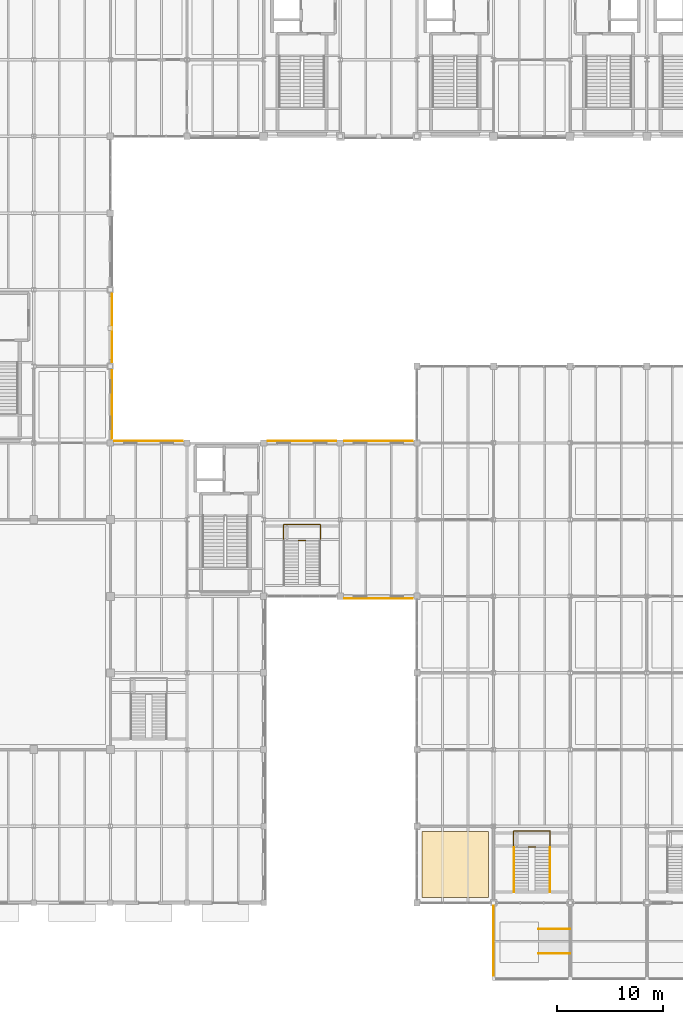
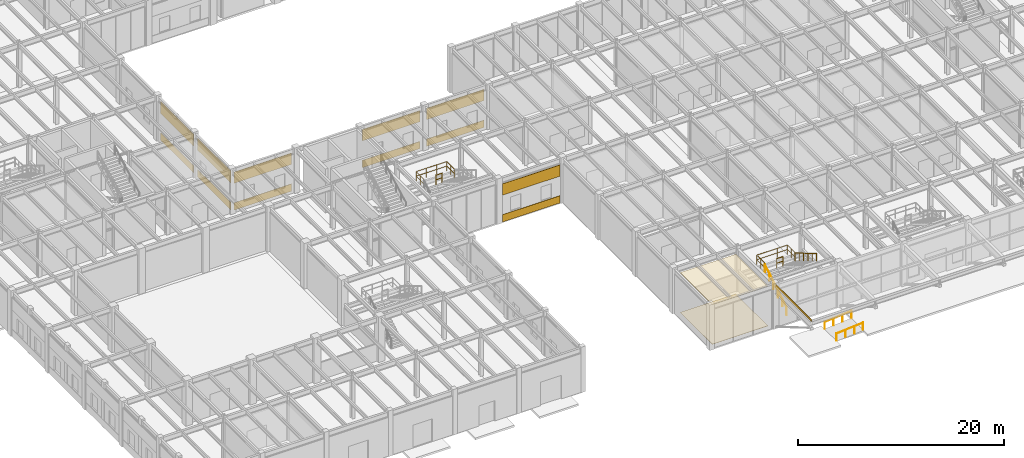
# One storey, part 88 of 97: 15 coverings, 8 railings.
"""IFC4 building model written with IfcOpenShell, lengths in metres."""

from ifc_helpers import new_model, si_unit, direction, frame, frame_2d, origin, origin_2d, place, context, subcontext, project, spatial, polyline, rectangle, circle, outline, extrude, material, layer, layer_set, type_object, element, save


model = new_model("IFC4")

# Units and contexts
model_context = context("Model", 3, precision=1e-05, world=origin(), true_north=direction((0.0, 1.0)))
body_context = subcontext(model_context, "Body", "Model", "MODEL_VIEW")
ifc_project = project(units=[si_unit("LENGTHUNIT", "METRE"), si_unit("AREAUNIT", "SQUARE_METRE"), si_unit("VOLUMEUNIT", "CUBIC_METRE"), si_unit("PLANEANGLEUNIT", "RADIAN"), si_unit("MASSUNIT", "GRAM", prefix="KILO")], contexts=[model_context])

# Site, building, storey
site_placement = place(None, origin())
site = spatial("IfcSite", under=ifc_project, at=site_placement, CompositionType="ELEMENT")
building_placement = place(site_placement, origin())
building = spatial("IfcBuilding", under=site, at=building_placement, Name="Sillqori Civic Hall", CompositionType="ELEMENT")
storey_placement = place(building_placement, origin())
storey = spatial("IfcBuildingStorey", under=building, at=storey_placement, Name="L01", CompositionType="ELEMENT", Elevation=0.0)

# Coverings
ifc_material_1 = material(Name="Slatted Andean Cedar Acoustic Baffle", Category="timber")
ifc_layer_1 = layer(ifc_material_1, 0.0419921875)
ifc_layer_set_1 = layer_set([ifc_layer_1], Name="Slatted Andean Cedar Acoustic Baffle")
covering_type_1 = type_object("IfcCoveringType", Name="COV-CEIL-TIM", PredefinedType="CEILING", material=ifc_layer_set_1)
covering_1_placement = place(storey_placement, frame((0.0, 0.0, 4.7080078125)))
element("IfcCovering", 1, at=covering_1_placement, inside=storey, type_object=covering_type_1, Name="Citizens Service Centre One-Stop Counter Hall acoustic ceiling", PredefinedType="CEILING", context=body_context, shape_type="SweptSolid", body=[
    extrude(outline(polyline([(65.280029296875, 7.679931640625), (71.52001953125, 7.679931640625), (71.52001953125, 13.919921875), (65.280029296875, 13.919921875), (65.280029296875, 7.679931640625)])), origin(), (0.0, 0.0, 1.0), 0.0419921875),
])
ifc_material_2 = material(Name="Anodized Bronze Aluminium Fascia", Category="aluminium")
ifc_layer_2 = layer(ifc_material_2, 0.034912109375)
ifc_layer_set_2 = layer_set([ifc_layer_2], Name="Anodized Bronze Aluminium Fascia")
covering_type_2 = type_object("IfcCoveringType", Name="COV-CLAD-BRNZ", PredefinedType="CLADDING", material=ifc_layer_set_2)
covering_2_placement = place(storey_placement, frame((72.0, 0.0, 4.97998046875), z_axis=(0.0, 0.0, 1.0), x_axis=(0.0, 1.0, 0.0)))
element("IfcCovering", 2, at=covering_2_placement, inside=storey, type_object=covering_type_2, Name="Entrance canopy bronze fascia W", PredefinedType="CLADDING", context=body_context, shape_type="SweptSolid", body=[
    extrude(rectangle(XDim=7.199951171875, YDim=0.034912109375, at=frame_2d((3.60009765625, 0.0))), origin(), (0.0, 0.0, 1.0), 0.260009765625),
])
ifc_material_3 = material(Name="Cochabamba Honed Limestone Cladding", Category="masonry")
ifc_layer_3 = layer(ifc_material_3, 0.044921875)
ifc_layer_set_3 = layer_set([ifc_layer_3], Name="Cochabamba Honed Limestone Cladding")
covering_type_3 = type_object("IfcCoveringType", Name="COV-CLAD-LIME", PredefinedType="CLADDING", material=ifc_layer_set_3)
covering_3_placement = place(storey_placement, frame((36.14990234375, 57.219970703125, 0.0400390625), z_axis=(0.0, 0.0, 1.0), x_axis=(0.0, -1.0, 0.0)))
element("IfcCovering", 3, at=covering_3_placement, inside=storey, type_object=covering_type_3, Name="L01 limestone spandrel cladding L01-04-07-E", PredefinedType="CLADDING", context=body_context, shape_type="SweptSolid", body=[
    extrude(rectangle(XDim=6.43994140625, YDim=0.044921875, at=frame_2d((3.219970703125, 0.0))), origin(), (0.0, 0.0, 1.0), 0.85986328125),
])
covering_4_placement = place(storey_placement, frame((36.14990234375, 57.219970703125, 3.219970703125), z_axis=(0.0, 0.0, 1.0), x_axis=(0.0, -1.0, 0.0)))
element("IfcCovering", 4, at=covering_4_placement, inside=storey, type_object=covering_type_3, Name="L01 limestone frieze cladding L01-04-07-E", PredefinedType="CLADDING", context=body_context, shape_type="SweptSolid", body=[
    extrude(rectangle(XDim=6.43994140625, YDim=0.044921875, at=frame_2d((3.219970703125, 0.0))), origin(), (0.0, 0.0, 1.0), 1.406982421875),
])
covering_5_placement = place(storey_placement, frame((36.14990234375, 64.419921875, 0.0400390625), z_axis=(0.0, 0.0, 1.0), x_axis=(0.0, -1.0, 0.0)))
element("IfcCovering", 5, at=covering_5_placement, inside=storey, type_object=covering_type_3, Name="L01 limestone spandrel cladding L01-04-08-E", PredefinedType="CLADDING", context=body_context, shape_type="SweptSolid", body=[
    extrude(rectangle(XDim=6.43994140625, YDim=0.044921875, at=frame_2d((3.219970703125, 0.0))), origin(), (0.0, 0.0, 1.0), 0.85986328125),
])
covering_6_placement = place(storey_placement, frame((36.14990234375, 64.419921875, 3.219970703125), z_axis=(0.0, 0.0, 1.0), x_axis=(0.0, -1.0, 0.0)))
element("IfcCovering", 6, at=covering_6_placement, inside=storey, type_object=covering_type_3, Name="L01 limestone frieze cladding L01-04-08-E", PredefinedType="CLADDING", context=body_context, shape_type="SweptSolid", body=[
    extrude(rectangle(XDim=6.43994140625, YDim=0.044921875, at=frame_2d((3.219970703125, 0.0))), origin(), (0.0, 0.0, 1.0), 1.406982421875),
])
covering_7_placement = place(storey_placement, frame((36.3798828125, 50.590087890625, 0.0400390625), z_axis=(0.0, 0.0, 1.0), x_axis=(1.0, 0.0, 0.0)))
element("IfcCovering", 7, at=covering_7_placement, inside=storey, type_object=covering_type_3, Name="L01 limestone spandrel cladding L01-05-06-N", PredefinedType="CLADDING", context=body_context, shape_type="SweptSolid", body=[
    extrude(rectangle(XDim=6.440185546875, YDim=0.044921875, at=frame_2d((3.22021484375, 0.0))), origin(), (0.0, 0.0, 1.0), 0.85986328125),
])
covering_8_placement = place(storey_placement, frame((36.3798828125, 50.590087890625, 3.219970703125), z_axis=(0.0, 0.0, 1.0), x_axis=(1.0, 0.0, 0.0)))
element("IfcCovering", 8, at=covering_8_placement, inside=storey, type_object=covering_type_3, Name="L01 limestone frieze cladding L01-05-06-N", PredefinedType="CLADDING", context=body_context, shape_type="SweptSolid", body=[
    extrude(rectangle(XDim=6.440185546875, YDim=0.044921875, at=frame_2d((3.22021484375, 0.0))), origin(), (0.0, 0.0, 1.0), 1.338134765625),
])
covering_9_placement = place(storey_placement, frame((50.780029296875, 50.590087890625, 0.0400390625), z_axis=(0.0, 0.0, 1.0), x_axis=(1.0, 0.0, 0.0)))
element("IfcCovering", 9, at=covering_9_placement, inside=storey, type_object=covering_type_3, Name="L01 limestone spandrel cladding L01-07-06-N", PredefinedType="CLADDING", context=body_context, shape_type="SweptSolid", body=[
    extrude(rectangle(XDim=6.43994140625, YDim=0.044921875, at=frame_2d((3.219970703125, 0.0))), origin(), (0.0, 0.0, 1.0), 0.85986328125),
])
covering_10_placement = place(storey_placement, frame((50.780029296875, 50.590087890625, 3.219970703125), z_axis=(0.0, 0.0, 1.0), x_axis=(1.0, 0.0, 0.0)))
element("IfcCovering", 10, at=covering_10_placement, inside=storey, type_object=covering_type_3, Name="L01 limestone frieze cladding L01-07-06-N", PredefinedType="CLADDING", context=body_context, shape_type="SweptSolid", body=[
    extrude(rectangle(XDim=6.43994140625, YDim=0.044921875, at=frame_2d((3.219970703125, 0.0))), origin(), (0.0, 0.0, 1.0), 1.338134765625),
])
covering_11_placement = place(storey_placement, frame((64.419921875, 35.81005859375, 0.0400390625), z_axis=(0.0, 0.0, 1.0), x_axis=(-1.0, 0.0, 0.0)))
element("IfcCovering", 11, at=covering_11_placement, inside=storey, type_object=covering_type_3, Name="L01 limestone spandrel cladding L01-08-05-S", PredefinedType="CLADDING", context=body_context, shape_type="SweptSolid", body=[
    extrude(rectangle(XDim=6.43994140625, YDim=0.044921875, at=frame_2d((3.219970703125, 0.0))), origin(), (0.0, 0.0, 1.0), 0.85986328125),
])
covering_12_placement = place(storey_placement, frame((64.419921875, 35.81005859375, 3.219970703125), z_axis=(0.0, 0.0, 1.0), x_axis=(-1.0, 0.0, 0.0)))
element("IfcCovering", 12, at=covering_12_placement, inside=storey, type_object=covering_type_3, Name="L01 limestone frieze cladding L01-08-05-S", PredefinedType="CLADDING", context=body_context, shape_type="SweptSolid", body=[
    extrude(rectangle(XDim=6.43994140625, YDim=0.044921875, at=frame_2d((3.219970703125, 0.0))), origin(), (0.0, 0.0, 1.0), 1.338134765625),
])
covering_13_placement = place(storey_placement, frame((57.97998046875, 50.590087890625, 0.0400390625), z_axis=(0.0, 0.0, 1.0), x_axis=(1.0, 0.0, 0.0)))
element("IfcCovering", 13, at=covering_13_placement, inside=storey, type_object=covering_type_3, Name="L01 limestone spandrel cladding L01-08-06-N", PredefinedType="CLADDING", context=body_context, shape_type="SweptSolid", body=[
    extrude(rectangle(XDim=6.43994140625, YDim=0.044921875, at=frame_2d((3.219970703125, 0.0))), origin(), (0.0, 0.0, 1.0), 0.85986328125),
])
covering_14_placement = place(storey_placement, frame((57.97998046875, 50.590087890625, 3.219970703125), z_axis=(0.0, 0.0, 1.0), x_axis=(1.0, 0.0, 0.0)))
element("IfcCovering", 14, at=covering_14_placement, inside=storey, type_object=covering_type_3, Name="L01 limestone frieze cladding L01-08-06-N", PredefinedType="CLADDING", context=body_context, shape_type="SweptSolid", body=[
    extrude(rectangle(XDim=6.43994140625, YDim=0.044921875, at=frame_2d((3.219970703125, 0.0))), origin(), (0.0, 0.0, 1.0), 1.338134765625),
])
ifc_material_4 = material(Name="Engineered Tajibo Hardwood Flooring", Category="wood")
ifc_layer_4 = layer(ifc_material_4, 0.02587890625)
ifc_layer_set_4 = layer_set([ifc_layer_4], Name="Engineered Tajibo Hardwood Flooring")
covering_type_4 = type_object("IfcCoveringType", Name="COV-FLR-PRQ", PredefinedType="FLOORING", material=ifc_layer_set_4)
covering_15_placement = place(storey_placement, origin())
element("IfcCovering", 15, at=covering_15_placement, inside=storey, type_object=covering_type_4, Name="Citizens Service Centre One-Stop Counter Hall floor finish", PredefinedType="FLOORING", context=body_context, shape_type="SweptSolid", body=[
    extrude(outline(polyline([(65.280029296875, 7.679931640625), (71.52001953125, 7.679931640625), (71.52001953125, 13.919921875), (65.280029296875, 13.919921875), (65.280029296875, 7.679931640625)])), origin(), (0.0, 0.0, 1.0), 0.02587890625),
])

# Railings
ifc_material_5 = material(Name="Brushed Stainless Steel 316 Handrail", Category="steel")
ifc_layer_5 = layer(ifc_material_5, 0.044921875)
ifc_layer_set_5 = layer_set([ifc_layer_5], Name="Brushed Stainless Steel 316 Handrail")
railing_type_1 = type_object("IfcRailingType", Name="RLG-CORE-092", PredefinedType="HANDRAIL", material=ifc_layer_set_5)
railing_1_placement = place(storey_placement, frame((73.919921875, 8.199951171875, 0.168701171875)))
element("IfcRailing", 16, at=railing_1_placement, inside=storey, type_object=railing_type_1, Name="Wedge Hall South-West Grand Stair L01-L02 handrail W", PredefinedType="HANDRAIL", context=body_context, shape_type="SweptSolid", body=[
    extrude(circle(Radius=0.02392578125, at=origin_2d()), frame((0.0, 0.0, 0.89599609375), z_axis=(0.0, 0.856476492594, 0.516186030065), x_axis=(-1.0, 0.0, 0.0)), (0.0, 0.0, 1.0), 4.90380859375),
    extrude(circle(Radius=0.02099609375, at=origin_2d()), origin(), (0.0, 0.0, 1.0), 0.871826171875),
    extrude(circle(Radius=0.02099609375, at=origin_2d()), frame((0.0, 0.840087890625, 0.50634765625)), (0.0, 0.0, 1.0), 0.871826171875),
    extrude(circle(Radius=0.02099609375, at=origin_2d()), frame((0.0, 1.679931640625, 1.012451171875)), (0.0, 0.0, 1.0), 0.871826171875),
    extrude(circle(Radius=0.02099609375, at=origin_2d()), frame((0.0, 2.52001953125, 1.518798828125)), (0.0, 0.0, 1.0), 0.871826171875),
    extrude(circle(Radius=0.02099609375, at=origin_2d()), frame((0.0, 3.35986328125, 2.02490234375)), (0.0, 0.0, 1.0), 0.871826171875),
    extrude(circle(Radius=0.02099609375, at=origin_2d()), frame((0.0, 4.199951171875, 2.53125)), (0.0, 0.0, 1.0), 0.871826171875),
])
railing_2_placement = place(storey_placement, frame((77.280029296875, 12.39990234375, 2.868896484375)))
element("IfcRailing", 17, at=railing_2_placement, inside=storey, type_object=railing_type_1, Name="Wedge Hall South-West Grand Stair L01-L02 handrail E", PredefinedType="HANDRAIL", context=body_context, shape_type="SweptSolid", body=[
    extrude(circle(Radius=0.02392578125, at=origin_2d()), frame((0.0, 0.0, 0.89599609375), z_axis=(0.0, -0.856498503035, 0.5161495077), x_axis=(1.0, 0.0, 0.0)), (0.0, 0.0, 1.0), 4.903564453125),
    extrude(circle(Radius=0.02099609375, at=origin_2d()), origin(), (0.0, 0.0, 1.0), 0.871826171875),
    extrude(circle(Radius=0.02099609375, at=origin_2d()), frame((0.0, -0.840087890625, 0.506103515625)), (0.0, 0.0, 1.0), 0.871826171875),
    extrude(circle(Radius=0.02099609375, at=origin_2d()), frame((0.0, -1.679931640625, 1.012451171875)), (0.0, 0.0, 1.0), 0.871826171875),
    extrude(circle(Radius=0.02099609375, at=origin_2d()), frame((0.0, -2.52001953125, 1.5185546875)), (0.0, 0.0, 1.0), 0.871826171875),
    extrude(circle(Radius=0.02099609375, at=origin_2d()), frame((0.0, -3.35986328125, 2.02490234375)), (0.0, 0.0, 1.0), 0.871826171875),
    extrude(circle(Radius=0.02099609375, at=origin_2d()), frame((0.0, -4.199951171875, 2.531005859375)), (0.0, 0.0, 1.0), 0.871826171875),
])
ifc_material_6 = material(Name="Brushed Stainless Steel 316", Category="steel")
ifc_layer_6 = layer(ifc_material_6, 0.050048828125)
ifc_layer_set_6 = layer_set([ifc_layer_6], Name="Brushed Stainless Steel 316")
railing_type_2 = type_object("IfcRailingType", Name="RLG-RAMP-092", PredefinedType="HANDRAIL", material=ifc_layer_set_6)
for number, where, name in (
    (18, (76.199951171875, 2.4599609375, -0.239990234375), "Forecourt accessible ramp handrail S"),
    (19, (76.199951171875, 4.739990234375, -0.239990234375), "Forecourt accessible ramp handrail N"),
):
    element("IfcRailing", number, at=place(storey_placement, frame(where)), inside=storey, type_object=railing_type_2, Name=name, PredefinedType="HANDRAIL", context=body_context, shape_type="SweptSolid", body=[
        extrude(circle(Radius=0.02392578125, at=origin_2d()), frame((0.0, 0.0, 0.8759765625), z_axis=(0.996815536467, 0.0, 0.079741998075), x_axis=(0.0, 1.0, 0.0)), (0.0, 0.0, 1.0), 3.009521484375),
        extrude(circle(Radius=0.02099609375, at=origin_2d()), origin(), (0.0, 0.0, 1.0), 0.851806640625),
        extrude(circle(Radius=0.02099609375, at=origin_2d()), frame((1.0, 0.0, 0.080078125)), (0.0, 0.0, 1.0), 0.851806640625),
        extrude(circle(Radius=0.02099609375, at=origin_2d()), frame((2.0, 0.0, 0.159912109375)), (0.0, 0.0, 1.0), 0.851806640625),
        extrude(circle(Radius=0.02099609375, at=origin_2d()), frame((3.0, 0.0, 0.239990234375)), (0.0, 0.0, 1.0), 0.851806640625),
    ])
ifc_material_7 = material(Name="Stainless Steel 316 and Laminated Balustrade", Category="steel")
ifc_layer_7 = layer(ifc_material_7, 0.06005859375)
ifc_layer_set_7 = layer_set([ifc_layer_7], Name="Stainless Steel 316 and Laminated Balustrade")
railing_type_3 = type_object("IfcRailingType", Name="RLG-TERR-112", PredefinedType="GUARDRAIL", material=ifc_layer_set_7)
railing_3_placement = place(storey_placement, frame((73.8798828125, 12.39990234375, 2.699951171875)))
element("IfcRailing", 20, at=railing_3_placement, inside=storey, type_object=railing_type_3, Name="Wedge Hall South-West Grand Stair L01-L02 half-landing guard", PredefinedType="GUARDRAIL", context=body_context, shape_type="SweptSolid", body=[
    extrude(circle(Radius=0.02392578125, at=origin_2d()), frame((0.0, 0.0, 1.09619140625), z_axis=(0.0, 1.0, 0.0), x_axis=(-1.0, 0.0, 0.0)), (0.0, 0.0, 1.0), 1.530029296875),
    extrude(circle(Radius=0.02392578125, at=origin_2d()), frame((0.0, 0.0, 0.56005859375), z_axis=(0.0, 1.0, 0.0), x_axis=(-1.0, 0.0, 0.0)), (0.0, 0.0, 1.0), 1.530029296875),
    extrude(circle(Radius=0.02392578125, at=origin_2d()), frame((0.0, 1.530029296875, 1.09619140625), z_axis=(1.0, 0.0, 0.0), x_axis=(0.0, 1.0, 0.0)), (0.0, 0.0, 1.0), 3.440185546875),
    extrude(circle(Radius=0.02392578125, at=origin_2d()), frame((0.0, 1.530029296875, 0.56005859375), z_axis=(1.0, 0.0, 0.0), x_axis=(0.0, 1.0, 0.0)), (0.0, 0.0, 1.0), 3.440185546875),
    extrude(circle(Radius=0.02392578125, at=origin_2d()), frame((3.440185546875, 1.530029296875, 1.09619140625), z_axis=(0.0, -1.0, 0.0), x_axis=(1.0, 0.0, 0.0)), (0.0, 0.0, 1.0), 1.530029296875),
    extrude(circle(Radius=0.02392578125, at=origin_2d()), frame((3.440185546875, 1.530029296875, 0.56005859375), z_axis=(0.0, -1.0, 0.0), x_axis=(1.0, 0.0, 0.0)), (0.0, 0.0, 1.0), 1.530029296875),
    extrude(circle(Radius=0.02099609375, at=origin_2d()), origin(), (0.0, 0.0, 1.0), 1.072021484375),
    extrude(circle(Radius=0.02099609375, at=origin_2d()), frame((0.0, 0.76513671875, 0.0)), (0.0, 0.0, 1.0), 1.072021484375),
    extrude(circle(Radius=0.02099609375, at=origin_2d()), frame((0.0, 1.530029296875, 0.0)), (0.0, 0.0, 1.0), 1.072021484375),
    extrude(circle(Radius=0.02099609375, at=origin_2d()), frame((1.146728515625, 1.530029296875, 0.0)), (0.0, 0.0, 1.0), 1.072021484375),
    extrude(circle(Radius=0.02099609375, at=origin_2d()), frame((2.29345703125, 1.530029296875, 0.0)), (0.0, 0.0, 1.0), 1.072021484375),
    extrude(circle(Radius=0.02099609375, at=origin_2d()), frame((3.440185546875, 1.530029296875, 0.0)), (0.0, 0.0, 1.0), 1.072021484375),
    extrude(circle(Radius=0.02099609375, at=origin_2d()), frame((3.440185546875, 0.76513671875, 0.0)), (0.0, 0.0, 1.0), 1.072021484375),
    extrude(circle(Radius=0.02099609375, at=origin_2d()), frame((3.440185546875, 0.0, 0.0)), (0.0, 0.0, 1.0), 1.072021484375),
])
railing_4_placement = place(storey_placement, frame((75.260009765625, 12.43994140625, 2.699951171875)))
element("IfcRailing", 21, at=railing_4_placement, inside=storey, type_object=railing_type_3, Name="Wedge Hall South-West Grand Stair L01-L02 half-landing inner well guard", PredefinedType="GUARDRAIL", context=body_context, shape_type="SweptSolid", body=[
    extrude(circle(Radius=0.02392578125, at=origin_2d()), frame((0.0, 0.0, 1.09619140625), z_axis=(1.0, 0.0, 0.0), x_axis=(0.0, 1.0, 0.0)), (0.0, 0.0, 1.0), 0.679931640625),
    extrude(circle(Radius=0.02392578125, at=origin_2d()), frame((0.0, 0.0, 0.56005859375), z_axis=(1.0, 0.0, 0.0), x_axis=(0.0, 1.0, 0.0)), (0.0, 0.0, 1.0), 0.679931640625),
    extrude(circle(Radius=0.02099609375, at=origin_2d()), origin(), (0.0, 0.0, 1.0), 1.072021484375),
    extrude(circle(Radius=0.02099609375, at=origin_2d()), frame((0.679931640625, 0.0, 0.0)), (0.0, 0.0, 1.0), 1.072021484375),
])
railing_5_placement = place(storey_placement, frame((52.280029296875, 41.199951171875, 2.699951171875)))
element("IfcRailing", 22, at=railing_5_placement, inside=storey, type_object=railing_type_3, Name="Council Link Concourse Stair L01-L02 half-landing guard", PredefinedType="GUARDRAIL", context=body_context, shape_type="SweptSolid", body=[
    extrude(circle(Radius=0.02392578125, at=origin_2d()), frame((0.0, 0.0, 1.09619140625), z_axis=(0.0, 1.0, 0.0), x_axis=(-1.0, 0.0, 0.0)), (0.0, 0.0, 1.0), 1.530029296875),
    extrude(circle(Radius=0.02392578125, at=origin_2d()), frame((0.0, 0.0, 0.56005859375), z_axis=(0.0, 1.0, 0.0), x_axis=(-1.0, 0.0, 0.0)), (0.0, 0.0, 1.0), 1.530029296875),
    extrude(circle(Radius=0.02392578125, at=origin_2d()), frame((0.0, 1.530029296875, 1.09619140625), z_axis=(1.0, 0.0, 0.0), x_axis=(0.0, 1.0, 0.0)), (0.0, 0.0, 1.0), 3.43994140625),
    extrude(circle(Radius=0.02392578125, at=origin_2d()), frame((0.0, 1.530029296875, 0.56005859375), z_axis=(1.0, 0.0, 0.0), x_axis=(0.0, 1.0, 0.0)), (0.0, 0.0, 1.0), 3.43994140625),
    extrude(circle(Radius=0.02392578125, at=origin_2d()), frame((3.43994140625, 1.530029296875, 1.09619140625), z_axis=(0.0, -1.0, 0.0), x_axis=(1.0, 0.0, 0.0)), (0.0, 0.0, 1.0), 1.530029296875),
    extrude(circle(Radius=0.02392578125, at=origin_2d()), frame((3.43994140625, 1.530029296875, 0.56005859375), z_axis=(0.0, -1.0, 0.0), x_axis=(1.0, 0.0, 0.0)), (0.0, 0.0, 1.0), 1.530029296875),
    extrude(circle(Radius=0.02099609375, at=origin_2d()), origin(), (0.0, 0.0, 1.0), 1.072021484375),
    extrude(circle(Radius=0.02099609375, at=origin_2d()), frame((0.0, 0.76513671875, 0.0)), (0.0, 0.0, 1.0), 1.072021484375),
    extrude(circle(Radius=0.02099609375, at=origin_2d()), frame((0.0, 1.530029296875, 0.0)), (0.0, 0.0, 1.0), 1.072021484375),
    extrude(circle(Radius=0.02099609375, at=origin_2d()), frame((1.146728515625, 1.530029296875, 0.0)), (0.0, 0.0, 1.0), 1.072021484375),
    extrude(circle(Radius=0.02099609375, at=origin_2d()), frame((2.293212890625, 1.530029296875, 0.0)), (0.0, 0.0, 1.0), 1.072021484375),
    extrude(circle(Radius=0.02099609375, at=origin_2d()), frame((3.43994140625, 1.530029296875, 0.0)), (0.0, 0.0, 1.0), 1.072021484375),
    extrude(circle(Radius=0.02099609375, at=origin_2d()), frame((3.43994140625, 0.76513671875, 0.0)), (0.0, 0.0, 1.0), 1.072021484375),
    extrude(circle(Radius=0.02099609375, at=origin_2d()), frame((3.43994140625, 0.0, 0.0)), (0.0, 0.0, 1.0), 1.072021484375),
])
railing_6_placement = place(storey_placement, frame((53.659912109375, 41.239990234375, 2.699951171875)))
element("IfcRailing", 23, at=railing_6_placement, inside=storey, type_object=railing_type_3, Name="Council Link Concourse Stair L01-L02 half-landing inner well guard", PredefinedType="GUARDRAIL", context=body_context, shape_type="SweptSolid", body=[
    extrude(circle(Radius=0.02392578125, at=origin_2d()), frame((0.0, 0.0, 1.09619140625), z_axis=(1.0, 0.0, 0.0), x_axis=(0.0, 1.0, 0.0)), (0.0, 0.0, 1.0), 0.68017578125),
    extrude(circle(Radius=0.02392578125, at=origin_2d()), frame((0.0, 0.0, 0.56005859375), z_axis=(1.0, 0.0, 0.0), x_axis=(0.0, 1.0, 0.0)), (0.0, 0.0, 1.0), 0.68017578125),
    extrude(circle(Radius=0.02099609375, at=origin_2d()), origin(), (0.0, 0.0, 1.0), 1.072021484375),
    extrude(circle(Radius=0.02099609375, at=origin_2d()), frame((0.68017578125, 0.0, 0.0)), (0.0, 0.0, 1.0), 1.072021484375),
])

save(model, "model.ifc")
